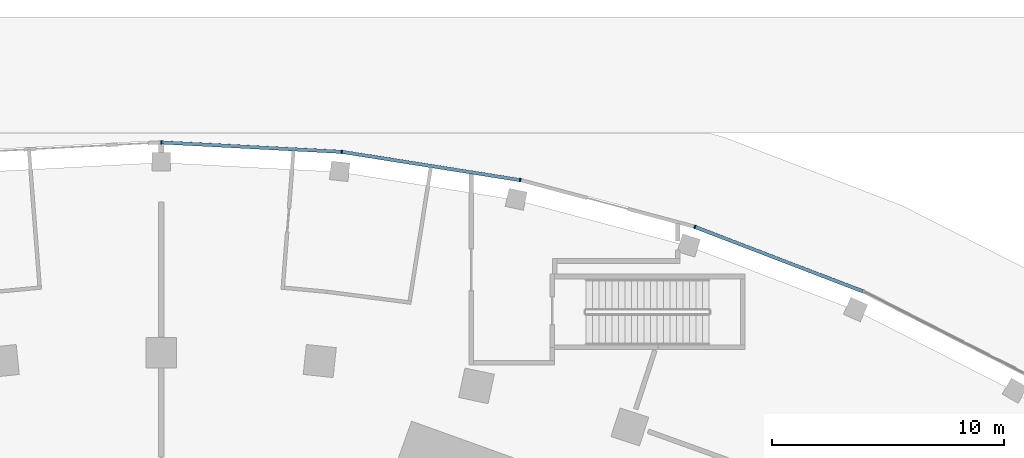
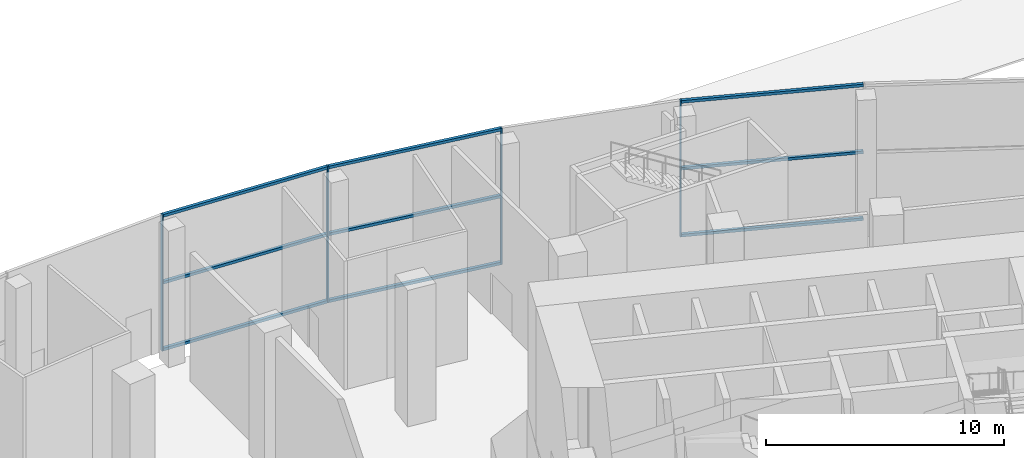
# One storey, part 13 of 60: 13 members, 1 element without a shape of its own.
"""IFC4 building model written with IfcOpenShell, lengths in metres."""

from ifc_helpers import new_model, si_unit, direction, frame, origin, origin_2d, place, context, subcontext, project, spatial, rectangle, extrude, material, layer, layer_set, material_profile, profile_set, type_object, element, aggregate, save


model = new_model("IFC4")

# Units and contexts
model_context = context("Model", 3, precision=1e-05, world=origin(), true_north=direction((0.0, 1.0)))
body_context = subcontext(model_context, "Body", "Model", "MODEL_VIEW")
ifc_project = project(units=[si_unit("LENGTHUNIT", "METRE"), si_unit("AREAUNIT", "SQUARE_METRE"), si_unit("VOLUMEUNIT", "CUBIC_METRE"), si_unit("PLANEANGLEUNIT", "RADIAN"), si_unit("MASSUNIT", "GRAM", prefix="KILO")], contexts=[model_context])

# Site, building, storey
site_placement = place(None, origin())
site = spatial("IfcSite", under=ifc_project, at=site_placement, CompositionType="ELEMENT")
building_placement = place(site_placement, origin())
building = spatial("IfcBuilding", under=site, at=building_placement, Name="Stone Belt Terrace Tower", CompositionType="ELEMENT")
storey_placement = place(building_placement, origin())
storey = spatial("IfcBuildingStorey", under=building, at=storey_placement, Name="L00", CompositionType="ELEMENT", Elevation=0.0)

# Curtain wall, members
ifc_material = material(Name="Aluminium 6063-T6 anodised frame", Category="aluminium")
ifc_layer = layer(ifc_material, 0.14990234375)
ifc_layer_set = layer_set([ifc_layer], Name="CW-D podium shopfront")
curtain_wall_type = type_object("IfcCurtainWallType", Name="CW-D podium shopfront", PredefinedType="NOTDEFINED", material=ifc_layer_set)
curtain_wall_placement = place(storey_placement, origin())
curtain_wall = element("IfcCurtainWall", 1, at=curtain_wall_placement, inside=storey, type_object=curtain_wall_type, Name="CW-D convex face L00", PredefinedType="NOTDEFINED")
ifc_material_profile_1 = material_profile(ifc_material, rectangle(XDim=0.14990234375, YDim=0.06005859375, at=origin_2d()), Name="Aluminium 6063-T6 60x150")
ifc_profile_set_1 = profile_set([ifc_material_profile_1], Name="Aluminium 6063-T6 anodised frame")
member_type_1 = type_object("IfcMemberType", Name="CW-D mullion 60 x 150", PredefinedType="MULLION", material=ifc_profile_set_1)
member_1_placement = place(storey_placement, frame((23.044921875, 70.925048828125, 0.0), z_axis=(0.0, 0.0, 1.0), x_axis=(-0.309016994375, -0.951056516295, 0.0)))
member_1 = element("IfcMember", 2, at=member_1_placement, type_object=member_type_1, Name="CW-D mullion 10", PredefinedType="MULLION", context=body_context, shape_type="SweptSolid", body=[
    extrude(rectangle(XDim=0.14990234375, YDim=0.06005859375, at=origin_2d()), origin(), (0.0, 0.0, 1.0), 7.0),
])
member_2_placement = place(storey_placement, frame((15.505126953125, 72.945556640625, 0.0), z_axis=(0.0, 0.0, 1.0), x_axis=(-0.207911690818, -0.978147600734, 0.0)))
member_2 = element("IfcMember", 3, at=member_2_placement, type_object=member_type_1, Name="CW-D mullion 11", PredefinedType="MULLION", context=body_context, shape_type="SweptSolid", body=[
    extrude(rectangle(XDim=0.14990234375, YDim=0.06005859375, at=origin_2d()), origin(), (0.0, 0.0, 1.0), 7.0),
])
member_3_placement = place(storey_placement, frame((7.795166015625, 74.16650390625, 0.0), z_axis=(0.0, 0.0, 1.0), x_axis=(-0.104528463268, -0.994521895368, 0.0)))
member_3 = element("IfcMember", 4, at=member_3_placement, type_object=member_type_1, Name="CW-D mullion 12", PredefinedType="MULLION", context=body_context, shape_type="SweptSolid", body=[
    extrude(rectangle(XDim=0.14990234375, YDim=0.06005859375, at=origin_2d()), origin(), (0.0, 0.0, 1.0), 7.0),
])
member_4_placement = place(storey_placement, frame((0.0, 74.5751953125, 0.0), z_axis=(0.0, 0.0, 1.0), x_axis=(0.0, -1.0, 0.0)))
member_4 = element("IfcMember", 5, at=member_4_placement, type_object=member_type_1, Name="CW-D mullion 13", PredefinedType="MULLION", context=body_context, shape_type="SweptSolid", body=[
    extrude(rectangle(XDim=0.14990234375, YDim=0.06005859375, at=origin_2d()), origin(), (0.0, 0.0, 1.0), 7.0),
])
ifc_material_profile_2 = material_profile(ifc_material, rectangle(XDim=0.14990234375, YDim=0.139892578125, at=origin_2d()), Name="Aluminium 6063-T6 150x140")
ifc_profile_set_2 = profile_set([ifc_material_profile_2], Name="Aluminium 6063-T6 anodised frame")
member_type_2 = type_object("IfcMemberType", Name="CW-D transom 140 x 150", PredefinedType="USERDEFINED", material=ifc_profile_set_2)
member_5_placement = place(storey_placement, frame((30.30078125, 68.139892578125, 0.070068359375), z_axis=(-0.933575536994, 0.358380686878, 0.0), x_axis=(-0.358380686878, -0.933575536994, 0.0)))
member_5 = element("IfcMember", 6, at=member_5_placement, type_object=member_type_2, Name="CW-D transom 9.1", ObjectType="TRANSOM", PredefinedType="USERDEFINED", context=body_context, shape_type="SweptSolid", body=[
    extrude(rectangle(XDim=0.14990234375, YDim=0.139892578125, at=origin_2d()), origin(), (0.0, 0.0, 1.0), 7.738037109375),
])
member_6_placement = place(storey_placement, frame((30.30078125, 68.139892578125, 3.5), z_axis=(-0.933575536994, 0.358380686878, 0.0), x_axis=(-0.358380686878, -0.933575536994, 0.0)))
member_6 = element("IfcMember", 7, at=member_6_placement, type_object=member_type_2, Name="CW-D transom 9.2", ObjectType="TRANSOM", PredefinedType="USERDEFINED", context=body_context, shape_type="SweptSolid", body=[
    extrude(rectangle(XDim=0.14990234375, YDim=0.139892578125, at=origin_2d()), origin(), (0.0, 0.0, 1.0), 7.738037109375),
])
member_7_placement = place(storey_placement, frame((30.30078125, 68.139892578125, 6.929931640625), z_axis=(-0.933575536994, 0.358380686878, 0.0), x_axis=(-0.358380686878, -0.933575536994, 0.0)))
member_7 = element("IfcMember", 8, at=member_7_placement, type_object=member_type_2, Name="CW-D transom 9.3", ObjectType="TRANSOM", PredefinedType="USERDEFINED", context=body_context, shape_type="SweptSolid", body=[
    extrude(rectangle(XDim=0.14990234375, YDim=0.139892578125, at=origin_2d()), origin(), (0.0, 0.0, 1.0), 7.738037109375),
])
member_8_placement = place(storey_placement, frame((15.4716796875, 72.95068359375, 0.070068359375), z_axis=(-0.987685334162, 0.156453445733, 0.0), x_axis=(-0.156453445733, -0.987685334162, 0.0)))
member_8 = element("IfcMember", 9, at=member_8_placement, type_object=member_type_2, Name="CW-D transom 11.1", ObjectType="TRANSOM", PredefinedType="USERDEFINED", context=body_context, shape_type="SweptSolid", body=[
    extrude(rectangle(XDim=0.14990234375, YDim=0.139892578125, at=origin_2d()), origin(), (0.0, 0.0, 1.0), 7.73828125),
])
member_9_placement = place(storey_placement, frame((15.4716796875, 72.95068359375, 3.5), z_axis=(-0.987685334162, 0.156453445733, 0.0), x_axis=(-0.156453445733, -0.987685334162, 0.0)))
member_9 = element("IfcMember", 10, at=member_9_placement, type_object=member_type_2, Name="CW-D transom 11.2", ObjectType="TRANSOM", PredefinedType="USERDEFINED", context=body_context, shape_type="SweptSolid", body=[
    extrude(rectangle(XDim=0.14990234375, YDim=0.139892578125, at=origin_2d()), origin(), (0.0, 0.0, 1.0), 7.73828125),
])
member_10_placement = place(storey_placement, frame((15.4716796875, 72.95068359375, 6.929931640625), z_axis=(-0.987685334162, 0.156453445733, 0.0), x_axis=(-0.156453445733, -0.987685334162, 0.0)))
member_10 = element("IfcMember", 11, at=member_10_placement, type_object=member_type_2, Name="CW-D transom 11.3", ObjectType="TRANSOM", PredefinedType="USERDEFINED", context=body_context, shape_type="SweptSolid", body=[
    extrude(rectangle(XDim=0.14990234375, YDim=0.139892578125, at=origin_2d()), origin(), (0.0, 0.0, 1.0), 7.73828125),
])
member_11_placement = place(storey_placement, frame((7.761474609375, 74.16845703125, 0.070068359375), z_axis=(-0.998630871779, 0.052310438058, 0.0), x_axis=(-0.052310438058, -0.998630871779, 0.0)))
member_11 = element("IfcMember", 12, at=member_11_placement, type_object=member_type_2, Name="CW-D transom 12.1", ObjectType="TRANSOM", PredefinedType="USERDEFINED", context=body_context, shape_type="SweptSolid", body=[
    extrude(rectangle(XDim=0.14990234375, YDim=0.139892578125, at=origin_2d()), origin(), (0.0, 0.0, 1.0), 7.738037109375),
])
member_12_placement = place(storey_placement, frame((7.761474609375, 74.16845703125, 3.5), z_axis=(-0.998630871779, 0.052310438058, 0.0), x_axis=(-0.052310438058, -0.998630871779, 0.0)))
member_12 = element("IfcMember", 13, at=member_12_placement, type_object=member_type_2, Name="CW-D transom 12.2", ObjectType="TRANSOM", PredefinedType="USERDEFINED", context=body_context, shape_type="SweptSolid", body=[
    extrude(rectangle(XDim=0.14990234375, YDim=0.139892578125, at=origin_2d()), origin(), (0.0, 0.0, 1.0), 7.738037109375),
])
member_13_placement = place(storey_placement, frame((7.761474609375, 74.16845703125, 6.929931640625), z_axis=(-0.998630871779, 0.052310438058, 0.0), x_axis=(-0.052310438058, -0.998630871779, 0.0)))
member_13 = element("IfcMember", 14, at=member_13_placement, type_object=member_type_2, Name="CW-D transom 12.3", ObjectType="TRANSOM", PredefinedType="USERDEFINED", context=body_context, shape_type="SweptSolid", body=[
    extrude(rectangle(XDim=0.14990234375, YDim=0.139892578125, at=origin_2d()), origin(), (0.0, 0.0, 1.0), 7.738037109375),
])
aggregate(curtain_wall, [member_1, member_2, member_3, member_4, member_5, member_6, member_7, member_8, member_9, member_10, member_11, member_12, member_13])

save(model, "model.ifc")
